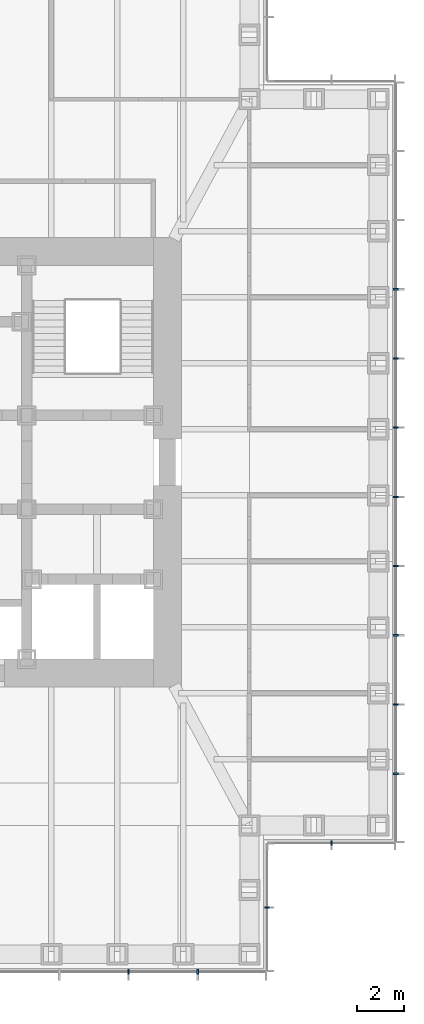
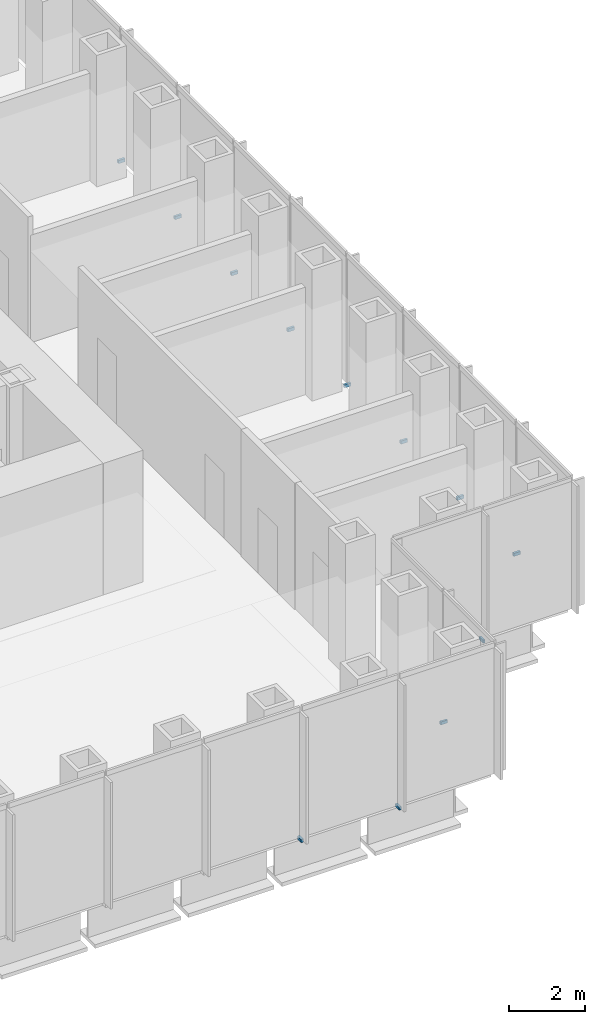
# One storey, part 13 of 16: 12 discrete accessories.
"""IFC4 building model written with IfcOpenShell, lengths in metres."""

from ifc_helpers import new_model, si_unit, direction, frame, origin, origin_2d, place, context, subcontext, project, spatial, rectangle, extrude, element, save


model = new_model("IFC4")

# Units and contexts
model_context = context("Model", 3, precision=1e-05, world=origin(), true_north=direction((0.0, 1.0)))
body_context = subcontext(model_context, "Body", "Model", "MODEL_VIEW")
ifc_project = project(units=[si_unit("LENGTHUNIT", "METRE"), si_unit("AREAUNIT", "SQUARE_METRE"), si_unit("VOLUMEUNIT", "CUBIC_METRE"), si_unit("PLANEANGLEUNIT", "RADIAN"), si_unit("MASSUNIT", "GRAM", prefix="KILO")], contexts=[model_context])

# Site, building, storey
site_placement = place(None, origin())
site = spatial("IfcSite", under=ifc_project, at=site_placement, CompositionType="ELEMENT")
building_placement = place(site_placement, origin())
building = spatial("IfcBuilding", under=site, at=building_placement, Name="Daluyong Arena Tower", CompositionType="ELEMENT")
storey_placement = place(building_placement, frame((0.0, 0.0, 206.5)))
storey = spatial("IfcBuildingStorey", under=building, at=storey_placement, Name="L46", CompositionType="ELEMENT", Elevation=206.5)

# Discrete accessories
for number, where, z_axis, x_axis, name in (
    (1, (66.3408203125, 58.25, -0.10009765625), (0.0, 0.0, 1.0), (1.0, 0.0, 0.0), "curtain wall L46 S anchor bracket 10"),
    (2, (69.29541015625, 58.25, -0.10009765625), (0.0, 0.0, 1.0), (1.0, 0.0, 0.0), "curtain wall L46 S anchor bracket 11"),
):
    element("IfcDiscreteAccessory", number, at=place(storey_placement, frame(where, z_axis=z_axis, x_axis=x_axis)), inside=storey, Name=name, PredefinedType="BRACKET", context=body_context, shape_type="SweptSolid", body=[
        extrude(rectangle(XDim=0.070068359375, YDim=0.199951171875, at=origin_2d()), origin(), (0.0, 0.0, 1.0), 0.10009765625),
    ])
for number, where, z_axis, x_axis, name in (
    (3, (72.25, 61.0, -0.10009765625), (0.0, 0.0, 1.0), (0.0, 1.0, 0.0), "curtain wall L46 SE-E anchor bracket 2"),
    (4, (75.0, 63.75, -0.10009765625), (0.0, 0.0, 1.0), (1.0, 0.0, 0.0), "curtain wall L46 SE-S anchor bracket 2"),
):
    element("IfcDiscreteAccessory", number, at=place(storey_placement, frame(where, z_axis=z_axis, x_axis=x_axis)), inside=storey, Name=name, PredefinedType="BRACKET", context=body_context, shape_type="SweptSolid", body=[
        extrude(rectangle(XDim=0.06005859375, YDim=0.199951171875, at=origin_2d()), origin(), (0.0, 0.0, 1.0), 0.10009765625),
    ])
for number, where, z_axis, x_axis, name in (
    (5, (77.75, 66.70458984375, -0.10009765625), (0.0, 0.0, 1.0), (0.0, 1.0, 0.0), "curtain wall L46 E anchor bracket 2"),
    (6, (77.75, 69.6591796875, -0.10009765625), (0.0, 0.0, 1.0), (0.0, 1.0, 0.0), "curtain wall L46 E anchor bracket 3"),
    (7, (77.75, 72.613525390625, -0.10009765625), (0.0, 0.0, 1.0), (0.0, 1.0, 0.0), "curtain wall L46 E anchor bracket 4"),
    (8, (77.75, 75.568115234375, -0.10009765625), (0.0, 0.0, 1.0), (0.0, 1.0, 0.0), "curtain wall L46 E anchor bracket 5"),
    (9, (77.75, 78.522705078125, -0.10009765625), (0.0, 0.0, 1.0), (0.0, 1.0, 0.0), "curtain wall L46 E anchor bracket 6"),
    (10, (77.75, 81.477294921875, -0.10009765625), (0.0, 0.0, 1.0), (0.0, 1.0, 0.0), "curtain wall L46 E anchor bracket 7"),
    (11, (77.75, 84.431884765625, -0.10009765625), (0.0, 0.0, 1.0), (0.0, 1.0, 0.0), "curtain wall L46 E anchor bracket 8"),
    (12, (77.75, 87.386474609375, -0.10009765625), (0.0, 0.0, 1.0), (0.0, 1.0, 0.0), "curtain wall L46 E anchor bracket 9"),
):
    element("IfcDiscreteAccessory", number, at=place(storey_placement, frame(where, z_axis=z_axis, x_axis=x_axis)), inside=storey, Name=name, PredefinedType="BRACKET", context=body_context, shape_type="SweptSolid", body=[
        extrude(rectangle(XDim=0.070068359375, YDim=0.199951171875, at=origin_2d()), origin(), (0.0, 0.0, 1.0), 0.10009765625),
    ])

save(model, "model.ifc")
